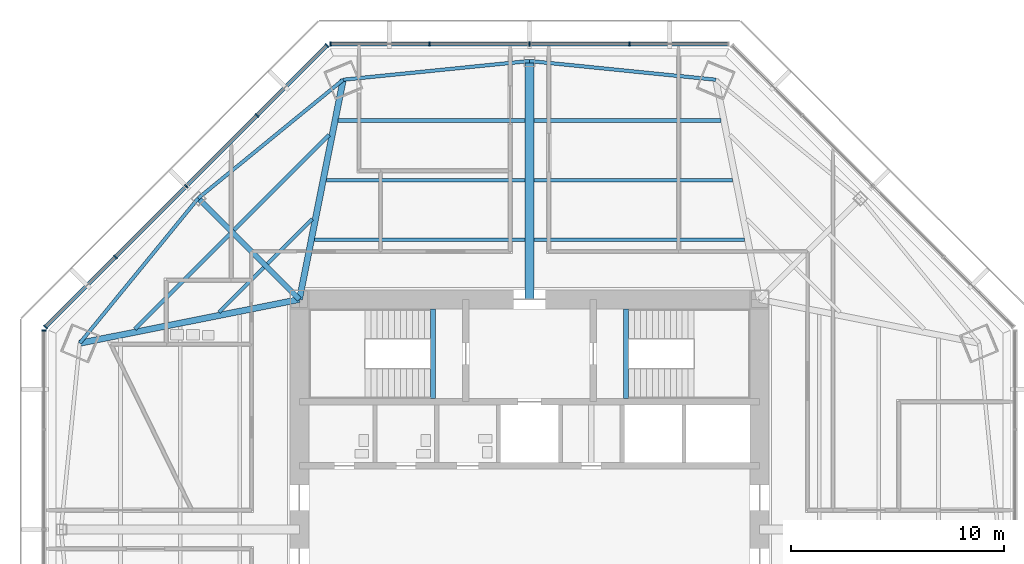
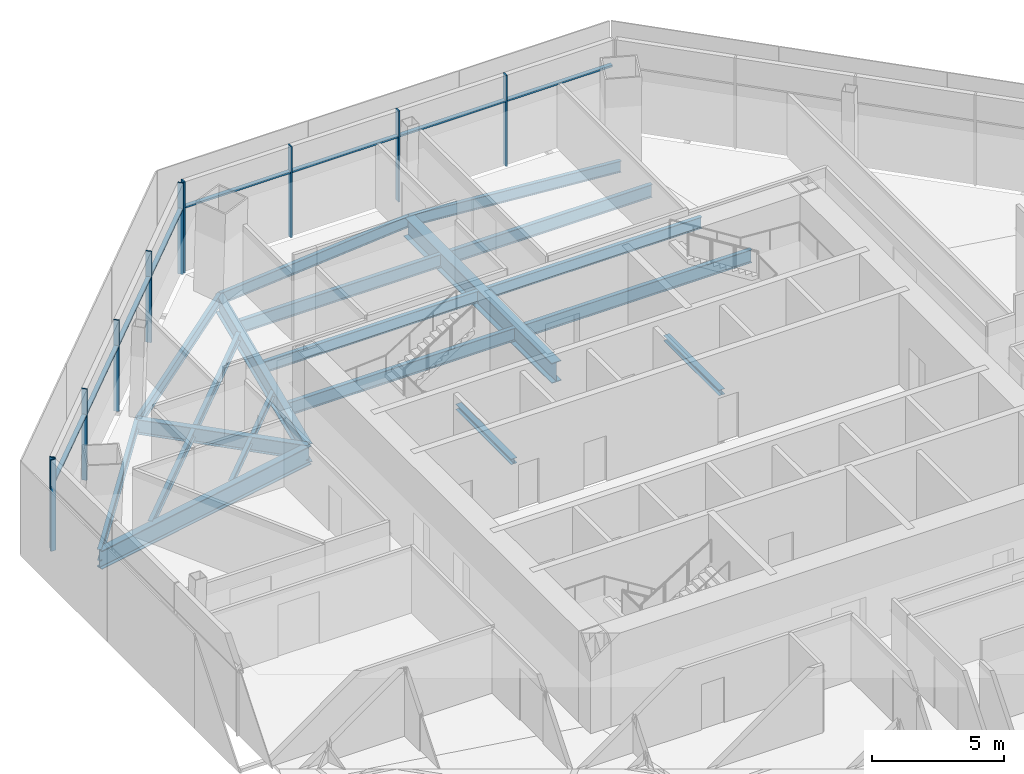
# One storey, part 5 of 15: 20 beams, 18 members, 3 elements without a shape of their own.
"""IFC4 building model written with IfcOpenShell, lengths in metres."""

import ifcopenshell
import ifcopenshell.guid

model = None  # the IFC model being written
_history = None  # IfcOwnerHistory: only IFC2X3 demands one
_inside = {}  # id of a spatial element -> (the spatial element, [elements in it])
_under = {}  # id of a project, library or spatial element -> (it, [spatial elements below it])
_declared = {}  # id of a project -> (the project, [libraries it declares])
_typed = {}  # id of a type object -> (the type object, [elements of that type])
_made_of = {}  # id of a material, layer set ... -> (it, [elements and type objects made of it])


def new_model(schema):
    """Start an empty IFC model of exactly this schema.

    Asked for "IFC4X3", IfcOpenShell would pick the latest addendum, in which some entities
    have other attributes; the version numbers below select the first issue.
    IFC2X3 requires an IfcOwnerHistory on every rooted entity: one is made here for all.
    """
    global model, _history
    if schema == "IFC4X3":
        model = ifcopenshell.file(schema_version=(4, 3, 0, 0))
    else:
        model = ifcopenshell.file(schema=schema)
    _inside.clear()
    _under.clear()
    _declared.clear()
    _typed.clear()
    _made_of.clear()
    _history = None
    if model.schema == "IFC2X3":
        org = make("IfcOrganization", Name="unknown")
        user = make(
            "IfcPersonAndOrganization",
            ThePerson=make("IfcPerson", FamilyName="unknown"),
            TheOrganization=org,
        )
        app = make(
            "IfcApplication",
            ApplicationDeveloper=org,
            Version="unknown",
            ApplicationFullName="unknown",
            ApplicationIdentifier="unknown",
        )
        _history = make(
            "IfcOwnerHistory",
            OwningUser=user,
            OwningApplication=app,
            ChangeAction="ADDED",
            CreationDate=0,
        )
    return model


def make(cls, **values):
    """One entity of the class cls with the attributes given. An attribute that is None is left unset."""
    return model.create_entity(
        cls, **{name: value for name, value in values.items() if value is not None}
    )


def rooted(cls, **values):
    """An entity with a GlobalId (a new one), such as an element, a storey or a relation."""
    return make(cls, GlobalId=ifcopenshell.guid.new(), OwnerHistory=_history, **values)


def si_unit(unit_type, name, prefix=None):
    """IfcSIUnit, for example si_unit("LENGTHUNIT", "METRE", prefix="MILLI")."""
    return make("IfcSIUnit", UnitType=unit_type, Prefix=prefix, Name=name)


def assignment(units):
    """IfcUnitAssignment: the units of a project."""
    return None if units is None else make("IfcUnitAssignment", Units=units)


def point(xyz):
    """IfcCartesianPoint."""
    return None if xyz is None else make("IfcCartesianPoint", Coordinates=xyz)


def direction(xyz):
    """IfcDirection."""
    return None if xyz is None else make("IfcDirection", DirectionRatios=xyz)


def frame(location, z_axis=None, x_axis=None):
    """IfcAxis2Placement3D, a coordinate frame: its origin and axes. An axis left out is left unset."""
    return make(
        "IfcAxis2Placement3D",
        Location=point(location),
        Axis=direction(z_axis),
        RefDirection=direction(x_axis),
    )


def frame_2d(location, x_axis=None):
    """IfcAxis2Placement2D, a coordinate frame in the plane: its origin and x axis."""
    return make(
        "IfcAxis2Placement2D", Location=point(location), RefDirection=direction(x_axis)
    )


def origin():
    """The frame at (0, 0, 0) with its axes left unset."""
    return frame((0.0, 0.0, 0.0))


def origin_2d():
    """The frame at (0, 0) in the plane with its x axis left unset."""
    return frame_2d((0.0, 0.0))


def place(relative_to, where):
    """IfcLocalPlacement: puts the frame where relative to a parent placement (None: the world)."""
    return make(
        "IfcLocalPlacement", PlacementRelTo=relative_to, RelativePlacement=where
    )


def context(
    kind, dimensions, precision=None, world=None, true_north=None, identifier=None
):
    """IfcGeometricRepresentationContext, for example the 3D "Model" context."""
    return make(
        "IfcGeometricRepresentationContext",
        ContextIdentifier=identifier,
        ContextType=kind,
        CoordinateSpaceDimension=dimensions,
        Precision=precision,
        WorldCoordinateSystem=world,
        TrueNorth=true_north,
    )


def subcontext(parent, identifier, kind, view, scale=None):
    """IfcGeometricRepresentationSubContext, for example "Body" below "Model"."""
    return make(
        "IfcGeometricRepresentationSubContext",
        ContextIdentifier=identifier,
        ContextType=kind,
        ParentContext=parent,
        TargetScale=scale,
        TargetView=view,
    )


def project(units=None, contexts=None):
    """IfcProject with its units and contexts."""
    return rooted(
        "IfcProject",
        Name="project",
        RepresentationContexts=contexts,
        UnitsInContext=assignment(units),
    )


def spatial(cls, under=None, at=None, **own):
    """A site, building, storey or space (cls), placed at a placement, below another one or the project."""
    s = rooted(cls, ObjectPlacement=at, **own)
    if under is not None:
        _under.setdefault(under.id(), (under, []))[1].append(s)
    return s


def profile(cls, at=None, kind="AREA", **sizes):
    """A parametric profile (cls). Its sizes go by their IFC names, for example OverallWidth=200.0."""
    return make(cls, ProfileType=kind, Position=at, **sizes)


def rectangle(**sizes):
    """IfcRectangleProfileDef."""
    return profile("IfcRectangleProfileDef", **sizes)


def i_section(**sizes):
    """IfcIShapeProfileDef."""
    return profile("IfcIShapeProfileDef", **sizes)


def extrude(swept, where, along, depth):
    """IfcExtrudedAreaSolid: the profile swept, set in the frame where, extruded along a direction by depth."""
    return make(
        "IfcExtrudedAreaSolid",
        SweptArea=swept,
        Position=where,
        ExtrudedDirection=direction(along),
        Depth=depth,
    )


def shape(context_of_items, identifier, shape_type, items):
    """IfcShapeRepresentation: the items that make up one representation, for example the "Body"."""
    return make(
        "IfcShapeRepresentation",
        ContextOfItems=context_of_items,
        RepresentationIdentifier=identifier,
        RepresentationType=shape_type,
        Items=items,
    )


def source(mapping_origin, context_of_items, identifier, shape_type, items):
    """IfcRepresentationMap: a shape defined once, which mapped items show again and again."""
    return make(
        "IfcRepresentationMap",
        MappingOrigin=mapping_origin,
        MappedRepresentation=shape(context_of_items, identifier, shape_type, items),
    )


def transform(
    local_origin,
    x_axis=None,
    y_axis=None,
    z_axis=None,
    scale=None,
    scale2=None,
    scale3=None,
    uniform=True,
):
    """IfcCartesianTransformationOperator3D, or its non-uniform kind. x_axis, y_axis, z_axis: its Axis1, 2, 3."""
    if uniform:
        return make(
            "IfcCartesianTransformationOperator3D",
            Axis1=direction(x_axis),
            Axis2=direction(y_axis),
            LocalOrigin=point(local_origin),
            Scale=scale,
            Axis3=direction(z_axis),
        )
    return make(
        "IfcCartesianTransformationOperator3DnonUniform",
        Axis1=direction(x_axis),
        Axis2=direction(y_axis),
        LocalOrigin=point(local_origin),
        Scale=scale,
        Axis3=direction(z_axis),
        Scale2=scale2,
        Scale3=scale3,
    )


def mapped(mapping_source, mapping_target):
    """IfcMappedItem: shows the shape of a source again, moved by a transform."""
    return make(
        "IfcMappedItem", MappingSource=mapping_source, MappingTarget=mapping_target
    )


def material(Name=None, Category=None):
    """IfcMaterial."""
    return make("IfcMaterial", Name=Name, Category=Category)


def material_profile(
    of_material, cross_section, Name=None, Category=None, Priority=None
):
    """IfcMaterialProfile: a cross section and its material."""
    return make(
        "IfcMaterialProfile",
        Name=Name,
        Material=of_material,
        Profile=cross_section,
        Priority=Priority,
        Category=Category,
    )


def profile_set(profiles, Name=None, composite=None):
    """IfcMaterialProfileSet."""
    return make(
        "IfcMaterialProfileSet",
        Name=Name,
        MaterialProfiles=profiles,
        CompositeProfile=composite,
    )


def made_of(thing, what):
    """Note that an element or type object is made of a material, layer set ...; save() writes the relation."""
    if what is not None:
        _made_of.setdefault(what.id(), (what, []))[1].append(thing)
    return thing


def type_object(cls, material=None, **own):
    """A type object (cls), such as IfcWallType, which elements share."""
    return made_of(rooted(cls, **own), material)


def type_shapes(of_type, sources):
    """Give a type object the sources (RepresentationMaps) that its elements show as mapped items."""
    of_type.RepresentationMaps = sources


def element(
    cls,
    number,
    at=None,
    inside=None,
    cuts=None,
    type_object=None,
    material=None,
    context=None,
    identifier="Body",
    shape_type=None,
    held_by="IfcProductDefinitionShape",
    body=None,
    shapes=None,
    **own,
):
    """One element of the class cls, such as IfcWall. Its Tag is "e" and its number.

    at: its placement. inside: the storey or other place that contains it. cuts: it is an
    opening in that element (IfcRelVoidsElement). A single representation is given by context,
    identifier, shape_type and body (its items); several are given by shapes. held_by: the class
    of the entity that holds the representations. save() writes the other relations.
    """
    e = rooted(cls, Tag="e%d" % number, ObjectPlacement=at, **own)
    if body is not None:
        shapes = [shape(context, identifier, shape_type, body)]
    if shapes is not None:
        e.Representation = make(held_by, Representations=shapes)
    if inside is not None:
        _inside.setdefault(inside.id(), (inside, []))[1].append(e)
    if cuts is not None:
        rooted(
            "IfcRelVoidsElement", RelatingBuildingElement=cuts, RelatedOpeningElement=e
        )
    if type_object is not None:
        _typed.setdefault(type_object.id(), (type_object, []))[1].append(e)
    return made_of(e, material)


def aggregate(whole, parts):
    """IfcRelAggregates: a whole, such as a stair, and the parts it consists of."""
    return rooted("IfcRelAggregates", RelatingObject=whole, RelatedObjects=parts)


def save(model, path):
    """Write the relations noted so far, then the file.

    IfcRelAggregates (storeys below a building ...), IfcRelContainedInSpatialStructure (elements
    in a storey), IfcRelDefinesByType, IfcRelAssociatesMaterial and IfcRelDeclares: one each for
    every whole, place, type object, material and project.
    """
    for whole, parts in _under.values():
        aggregate(whole, parts)
    for where, things in _inside.values():
        rooted(
            "IfcRelContainedInSpatialStructure",
            RelatedElements=things,
            RelatingStructure=where,
        )
    for kind, things in _typed.values():
        rooted("IfcRelDefinesByType", RelatedObjects=things, RelatingType=kind)
    for what, things in _made_of.values():
        rooted("IfcRelAssociatesMaterial", RelatedObjects=things, RelatingMaterial=what)
    for by, libraries in _declared.values():
        rooted("IfcRelDeclares", RelatingContext=by, RelatedDefinitions=libraries)
    model.write(path)


model = new_model("IFC4")

# Units and contexts
model_context = context("Model", 3, precision=1e-05, world=origin(), true_north=direction((0.0, 1.0)))
body_context = subcontext(model_context, "Body", "Model", "MODEL_VIEW")
ifc_project = project(units=[si_unit("LENGTHUNIT", "METRE"), si_unit("AREAUNIT", "SQUARE_METRE"), si_unit("VOLUMEUNIT", "CUBIC_METRE"), si_unit("PLANEANGLEUNIT", "RADIAN"), si_unit("MASSUNIT", "GRAM", prefix="KILO")], contexts=[model_context])

# Site, building, storey
site_placement = place(None, origin())
site = spatial("IfcSite", under=ifc_project, at=site_placement, CompositionType="ELEMENT")
building_placement = place(site_placement, origin())
building = spatial("IfcBuilding", under=site, at=building_placement, Name="Mashrafa Tower", CompositionType="ELEMENT")
storey_placement = place(building_placement, frame((0.0, 0.0, 184.800048828125)))
storey = spatial("IfcBuildingStorey", under=building, at=storey_placement, Name="L42", CompositionType="ELEMENT", Elevation=184.800048828125)

# Beams
ifc_material_1 = material(Name="Steel ASTM A992", Category="steel")
ifc_material_profile_1 = material_profile(ifc_material_1, i_section(OverallWidth=0.164794921875, OverallDepth=0.309814453125, WebThickness=0.005859375, FlangeThickness=0.009765625, FilletRadius=0.007568359375, at=origin_2d()), Name="W12X26")
ifc_profile_set_1 = profile_set([ifc_material_profile_1], Name="Steel ASTM A992")
beam_type_1 = type_object("IfcBeamType", Name="Beam W12X26", PredefinedType="BEAM", material=ifc_profile_set_1)
for number, where, z_axis, x_axis, name in (
    (1, (-14.568603515625, 10.1982421875, -0.320068359375), (0.707065585301, 0.707147974672, 0.0), (-0.707147974672, 0.707065585301, 0.0), "Floor beam L42 006"),
    (2, (-12.293701171875, 12.473388671875, -0.320068359375), (0.707147974672, 0.707065585301, 0.0), (-0.707065585301, 0.707147974672, 0.0), "Floor beam L42 012"),
):
    element("IfcBeam", number, at=place(storey_placement, frame(where, z_axis=z_axis, x_axis=x_axis)), inside=storey, type_object=beam_type_1, Name=name, PredefinedType="BEAM", context=body_context, shape_type="SweptSolid", body=[
        extrude(i_section(OverallWidth=0.164794921875, OverallDepth=0.309814453125, WebThickness=0.005859375, FlangeThickness=0.009765625, FilletRadius=0.007568359375, at=origin_2d()), origin(), (0.0, 0.0, 1.0), 2.963134765625),
    ])
ifc_material_2 = material(Name="Steel ASTM A992", Category="steel")
ifc_material_profile_2 = material_profile(ifc_material_2, i_section(OverallWidth=0.177734375, OverallDepth=0.406494140625, WebThickness=0.0078125, FlangeThickness=0.012939453125, FilletRadius=0.01025390625, at=origin_2d()), Name="W16X40")
ifc_profile_set_2 = profile_set([ifc_material_profile_2], Name="Steel ASTM A992")
beam_type_2 = type_object("IfcBeamType", Name="Beam W16X40", PredefinedType="BEAM", material=ifc_profile_set_2)
for number, where, z_axis, x_axis, name in (
    (3, (-18.5234375, 9.410400390625, -0.3681640625), (0.707106781187, 0.707106781187, 0.0), (-0.707106781187, 0.707106781187, 0.0), "Floor beam L42 003"),
    (4, (-13.877197265625, 14.056640625, -0.3681640625), (0.707106781187, 0.707106781187, 0.0), (-0.707106781187, 0.707106781187, 0.0), "Floor beam L42 008"),
):
    element("IfcBeam", number, at=place(storey_placement, frame(where, z_axis=z_axis, x_axis=x_axis)), inside=storey, type_object=beam_type_2, Name=name, PredefinedType="BEAM", context=body_context, shape_type="SweptSolid", body=[
        extrude(i_section(OverallWidth=0.177734375, OverallDepth=0.406494140625, WebThickness=0.0078125, FlangeThickness=0.012939453125, FilletRadius=0.01025390625, at=origin_2d()), origin(), (0.0, 0.0, 1.0), 6.31689453125),
    ])
ifc_material_3 = material(Name="Steel ASTM A992", Category="steel")
ifc_material_profile_3 = material_profile(ifc_material_3, i_section(OverallWidth=0.1650390625, OverallDepth=0.52587890625, WebThickness=0.0087890625, FlangeThickness=0.011474609375, FilletRadius=0.0126953125, at=origin_2d()), Name="W21X44")
ifc_profile_set_3 = profile_set([ifc_material_profile_3], Name="Steel ASTM A992")
beam_type_3 = type_object("IfcBeamType", Name="Beam W21X44", PredefinedType="BEAM", material=ifc_profile_set_3)
for number, where, z_axis, x_axis, name in (
    (5, (-9.536376953125, 16.39599609375, -0.427978515625), (1.0, 0.0, 0.0), (0.0, 1.0, 0.0), "Floor beam L42 015"),
    (6, (0.20947265625, 16.39599609375, -0.427978515625), (1.0, 0.0, 0.0), (0.0, 1.0, 0.0), "Floor beam L42 022"),
):
    element("IfcBeam", number, at=place(storey_placement, frame(where, z_axis=z_axis, x_axis=x_axis)), inside=storey, type_object=beam_type_3, Name=name, PredefinedType="BEAM", context=body_context, shape_type="SweptSolid", body=[
        extrude(i_section(OverallWidth=0.1650390625, OverallDepth=0.52587890625, WebThickness=0.0087890625, FlangeThickness=0.011474609375, FilletRadius=0.0126953125, at=origin_2d()), origin(), (0.0, 0.0, 1.0), 9.326904296875),
    ])
for number, where, z_axis, x_axis, name in (
    (7, (-15.55029296875, 15.55029296875, -0.427978515625), (-0.632932191269, -0.77420723405, 0.0), (0.77420723405, -0.632932191269, 0.0), "Spandrel beam L42 061"),
    (8, (-8.74560546875, 21.11328125, -0.427978515625), (-0.77420723405, -0.632932191269, 0.0), (0.632932191269, -0.77420723405, 0.0), "Spandrel beam L42 063"),
):
    element("IfcBeam", number, at=place(storey_placement, frame(where, z_axis=z_axis, x_axis=x_axis)), inside=storey, type_object=beam_type_3, Name=name, PredefinedType="BEAM", context=body_context, shape_type="SweptSolid", body=[
        extrude(i_section(OverallWidth=0.1650390625, OverallDepth=0.52587890625, WebThickness=0.0087890625, FlangeThickness=0.011474609375, FilletRadius=0.0126953125, at=origin_2d()), origin(), (0.0, 0.0, 1.0), 8.789306640625),
    ])
for number, where, z_axis, x_axis, name in (
    (9, (0.0, 21.99169921875, -0.427978515625), (-0.994993643695, -0.099938225951, 0.0), (0.099938225951, -0.994993643695, 0.0), "Spandrel beam L42 065"),
    (10, (8.74560546875, 21.11328125, -0.427978515625), (-0.994993643695, 0.099938225951, 0.0), (-0.099938225951, -0.994993643695, 0.0), "Spandrel beam L42 067"),
):
    element("IfcBeam", number, at=place(storey_placement, frame(where, z_axis=z_axis, x_axis=x_axis)), inside=storey, type_object=beam_type_3, Name=name, PredefinedType="BEAM", context=body_context, shape_type="SweptSolid", body=[
        extrude(i_section(OverallWidth=0.1650390625, OverallDepth=0.52587890625, WebThickness=0.0087890625, FlangeThickness=0.011474609375, FilletRadius=0.0126953125, at=origin_2d()), origin(), (0.0, 0.0, 1.0), 8.78955078125),
    ])
ifc_material_4 = material(Name="Steel ASTM A992", Category="steel")
ifc_material_profile_4 = material_profile(ifc_material_4, i_section(OverallWidth=0.177978515625, OverallDepth=0.599365234375, WebThickness=0.010009765625, FlangeThickness=0.012939453125, FilletRadius=0.012939453125, at=origin_2d()), Name="W24X55")
ifc_profile_set_4 = profile_set([ifc_material_profile_4], Name="Steel ASTM A992")
beam_type_4 = type_object("IfcBeamType", Name="Beam W24X55", PredefinedType="BEAM", material=ifc_profile_set_4)
beam_1_placement = place(storey_placement, frame((-10.09375, 13.597900390625, -0.46484375), z_axis=(1.0, 0.0, 0.0), x_axis=(0.0, 1.0, 0.0)))
element("IfcBeam", 11, at=beam_1_placement, inside=storey, type_object=beam_type_4, Name="Floor beam L42 013", PredefinedType="BEAM", context=body_context, shape_type="SweptSolid", body=[
    extrude(i_section(OverallWidth=0.177978515625, OverallDepth=0.599365234375, WebThickness=0.010009765625, FlangeThickness=0.012939453125, FilletRadius=0.012939453125, at=origin_2d()), origin(), (0.0, 0.0, 1.0), 9.88427734375),
])
beam_2_placement = place(storey_placement, frame((-8.97900390625, 19.19384765625, -0.46484375), z_axis=(1.0, 0.0, 0.0), x_axis=(0.0, 1.0, 0.0)))
element("IfcBeam", 12, at=beam_2_placement, inside=storey, type_object=beam_type_4, Name="Floor beam L42 017", PredefinedType="BEAM", context=body_context, shape_type="SweptSolid", body=[
    extrude(i_section(OverallWidth=0.177978515625, OverallDepth=0.599365234375, WebThickness=0.010009765625, FlangeThickness=0.012939453125, FilletRadius=0.012939453125, at=origin_2d()), origin(), (0.0, 0.0, 1.0), 8.76953125),
])
beam_3_placement = place(storey_placement, frame((0.20947265625, 13.597900390625, -0.46484375), z_axis=(1.0, 0.0, 0.0), x_axis=(0.0, 1.0, 0.0)))
element("IfcBeam", 13, at=beam_3_placement, inside=storey, type_object=beam_type_4, Name="Floor beam L42 021", PredefinedType="BEAM", context=body_context, shape_type="SweptSolid", body=[
    extrude(i_section(OverallWidth=0.177978515625, OverallDepth=0.599365234375, WebThickness=0.010009765625, FlangeThickness=0.012939453125, FilletRadius=0.012939453125, at=origin_2d()), origin(), (0.0, 0.0, 1.0), 9.88427734375),
])
beam_4_placement = place(storey_placement, frame((0.20947265625, 19.19384765625, -0.46484375), z_axis=(1.0, 0.0, 0.0), x_axis=(0.0, 1.0, 0.0)))
element("IfcBeam", 14, at=beam_4_placement, inside=storey, type_object=beam_type_4, Name="Floor beam L42 023", PredefinedType="BEAM", context=body_context, shape_type="SweptSolid", body=[
    extrude(i_section(OverallWidth=0.177978515625, OverallDepth=0.599365234375, WebThickness=0.010009765625, FlangeThickness=0.012939453125, FilletRadius=0.012939453125, at=origin_2d()), origin(), (0.0, 0.0, 1.0), 8.76953125),
])
ifc_material_5 = material(Name="Steel ASTM A992", Category="steel")
ifc_material_profile_5 = material_profile(ifc_material_5, i_section(OverallWidth=0.25390625, OverallDepth=0.683349609375, WebThickness=0.012451171875, FlangeThickness=0.01904296875, FilletRadius=0.01513671875, at=origin_2d()), Name="W27X94")
ifc_profile_set_5 = profile_set([ifc_material_profile_5], Name="Steel ASTM A992")
beam_type_5 = type_object("IfcBeamType", Name="Beam W27X94", PredefinedType="BEAM", material=ifc_profile_set_5)
beam_5_placement = place(storey_placement, frame((-10.800048828125, 10.800048828125, -0.506591796875), z_axis=(-0.707106781187, 0.707106781187, 0.0), x_axis=(-0.707106781187, -0.707106781187, 0.0)))
element("IfcBeam", 15, at=beam_5_placement, inside=storey, type_object=beam_type_5, Name="Radial girder L42 046", PredefinedType="BEAM", context=body_context, shape_type="SweptSolid", body=[
    extrude(i_section(OverallWidth=0.25390625, OverallDepth=0.683349609375, WebThickness=0.012451171875, FlangeThickness=0.01904296875, FilletRadius=0.01513671875, at=origin_2d()), origin(), (0.0, 0.0, 1.0), 6.7177734375),
])
ifc_material_6 = material(Name="Steel ASTM A992", Category="steel")
ifc_material_profile_6 = material_profile(ifc_material_6, i_section(OverallWidth=0.2919921875, OverallDepth=0.8583984375, WebThickness=0.01708984375, FlangeThickness=0.031005859375, FilletRadius=0.017822265625, at=origin_2d()), Name="W33X169")
ifc_profile_set_6 = profile_set([ifc_material_profile_6], Name="Steel ASTM A992")
beam_type_6 = type_object("IfcBeamType", Name="Beam W33X169", PredefinedType="BEAM", material=ifc_profile_set_6)
for number, where, z_axis, x_axis, name in (
    (16, (-10.800048828125, 10.800048828125, -0.59423828125), (-0.980730402483, -0.195366009443, 0.0), (0.195366009443, -0.980730402483, 0.0), "Radial girder L42 045"),
    (17, (-10.800048828125, 10.800048828125, -0.59423828125), (0.195366009443, 0.980730402483, 0.0), (-0.980730402483, 0.195366009443, 0.0), "Radial girder L42 047"),
):
    element("IfcBeam", number, at=place(storey_placement, frame(where, z_axis=z_axis, x_axis=x_axis)), inside=storey, type_object=beam_type_6, Name=name, PredefinedType="BEAM", context=body_context, shape_type="SweptSolid", body=[
        extrude(i_section(OverallWidth=0.2919921875, OverallDepth=0.8583984375, WebThickness=0.01708984375, FlangeThickness=0.031005859375, FilletRadius=0.017822265625, at=origin_2d()), origin(), (0.0, 0.0, 1.0), 10.515869140625),
    ])
ifc_material_7 = material(Name="Steel ASTM A992", Category="steel")
ifc_material_profile_7 = material_profile(ifc_material_7, i_section(OverallWidth=0.419189453125, OverallDepth=0.927001953125, WebThickness=0.019287109375, FlangeThickness=0.031982421875, FilletRadius=0.020263671875, at=origin_2d()), Name="W36X231")
ifc_profile_set_7 = profile_set([ifc_material_profile_7], Name="Steel ASTM A992")
beam_type_7 = type_object("IfcBeamType", Name="Beam W36X231", PredefinedType="BEAM", material=ifc_profile_set_7)
beam_6_placement = place(storey_placement, frame((0.0, 10.800048828125, -0.628662109375), z_axis=(0.0, 1.0, 0.0), x_axis=(-1.0, 0.0, 0.0)))
element("IfcBeam", 18, at=beam_6_placement, inside=storey, type_object=beam_type_7, Name="Radial girder L42 049", PredefinedType="BEAM", context=body_context, shape_type="SweptSolid", body=[
    extrude(i_section(OverallWidth=0.419189453125, OverallDepth=0.927001953125, WebThickness=0.019287109375, FlangeThickness=0.031982421875, FilletRadius=0.020263671875, at=origin_2d()), origin(), (0.0, 0.0, 1.0), 11.191650390625),
])
ifc_material_8 = material(Name="Steel ASTM A992", Category="steel")
ifc_material_profile_8 = material_profile(ifc_material_8, i_section(OverallWidth=0.25390625, OverallDepth=0.25390625, WebThickness=0.008544921875, FlangeThickness=0.01416015625, FilletRadius=0.010009765625, at=origin_2d()), Name="W10X49")
ifc_profile_set_8 = profile_set([ifc_material_profile_8], Name="Steel ASTM A992")
beam_type_8 = type_object("IfcBeamType", Name="Hoistway beam W10X49", PredefinedType="BEAM", material=ifc_profile_set_8)
for number, where, z_axis, x_axis, name in (
    (19, (-4.530029296875, 6.14990234375, -0.3271484375), (0.0, 1.0, 0.0), (-1.0, 0.0, 0.0), "Stair S1 landing beam L42"),
    (20, (4.530029296875, 6.14990234375, -0.3271484375), (0.0, 1.0, 0.0), (-1.0, 0.0, 0.0), "Stair S2 landing beam L42"),
):
    element("IfcBeam", number, at=place(storey_placement, frame(where, z_axis=z_axis, x_axis=x_axis)), inside=storey, type_object=beam_type_8, Name=name, PredefinedType="BEAM", context=body_context, shape_type="SweptSolid", body=[
        extrude(i_section(OverallWidth=0.25390625, OverallDepth=0.25390625, WebThickness=0.008544921875, FlangeThickness=0.01416015625, FilletRadius=0.010009765625, at=origin_2d()), origin(), (0.0, 0.0, 1.0), 4.2001953125),
    ])

# Curtain wall, members
ifc_material_9 = material(Name="Unitised aluminium curtain wall", Category="aluminium")
curtain_wall_type = type_object("IfcCurtainWallType", Name="Office curtain wall, zone 2 CW-B 225 deep", PredefinedType="NOTDEFINED", material=ifc_material_9)
curtain_wall_1_placement = place(storey_placement, origin())
curtain_wall_1 = element("IfcCurtainWall", 21, at=curtain_wall_1_placement, inside=storey, type_object=curtain_wall_type, Name="Office curtain wall, zone 2 L42 north", PredefinedType="NOTDEFINED")
ifc_material_10 = material(Name="Extruded aluminium mullion", Category="aluminium")
ifc_material_profile_9 = material_profile(ifc_material_10, rectangle(XDim=0.22509765625, YDim=0.06494140625, at=origin_2d()), Name="Mullion 65x225")
ifc_profile_set_9 = profile_set([ifc_material_profile_9], Name="Extruded aluminium mullion")
member_type_1 = type_object("IfcMemberType", Name="Mullion CW-B 65 x 225", PredefinedType="MULLION", material=ifc_profile_set_9)
shared_shape_1 = source(origin(), body_context, "Body", "SweptSolid", [
    extrude(rectangle(XDim=0.22509765625, YDim=0.06494140625, at=origin_2d()), origin(), (0.0, 0.0, 1.0), 4.199951171875),
])
type_shapes(member_type_1, [shared_shape_1])
member_1_placement = place(storey_placement, frame((4.69091796875, 22.786865234375, 0.0), z_axis=(0.0, 0.0, 1.0), x_axis=(0.0, -1.0, 0.0)))
member_1 = element("IfcMember", 22, at=member_1_placement, type_object=member_type_1, Name="CW-B mullion 2", PredefinedType="MULLION", context=body_context, shape_type="MappedRepresentation", body=[
    mapped(shared_shape_1, transform((0.0, 0.0, 0.0))),
])
member_2_placement = place(storey_placement, frame((0.0, 22.786865234375, 0.0), z_axis=(0.0, 0.0, 1.0), x_axis=(0.0, -1.0, 0.0)))
member_2 = element("IfcMember", 23, at=member_2_placement, type_object=member_type_1, Name="CW-B mullion 3", PredefinedType="MULLION", context=body_context, shape_type="MappedRepresentation", body=[
    mapped(shared_shape_1, transform((0.0, 0.0, 0.0))),
])
member_3_placement = place(storey_placement, frame((-4.69091796875, 22.786865234375, 0.0), z_axis=(0.0, 0.0, 1.0), x_axis=(0.0, -1.0, 0.0)))
member_3 = element("IfcMember", 24, at=member_3_placement, type_object=member_type_1, Name="CW-B mullion 4", PredefinedType="MULLION", context=body_context, shape_type="MappedRepresentation", body=[
    mapped(shared_shape_1, transform((0.0, 0.0, 0.0))),
])
member_4_placement = place(storey_placement, frame((-9.349609375, 22.786865234375, 0.0), z_axis=(0.0, 0.0, 1.0), x_axis=(0.0, -1.0, 0.0)))
member_4 = element("IfcMember", 25, at=member_4_placement, type_object=member_type_1, Name="CW-B mullion 5", PredefinedType="MULLION", context=body_context, shape_type="MappedRepresentation", body=[
    mapped(shared_shape_1, transform((0.0, 0.0, 0.0))),
])

curtain_wall_2_placement = place(storey_placement, origin())
curtain_wall_2 = element("IfcCurtainWall", 26, at=curtain_wall_2_placement, inside=storey, type_object=curtain_wall_type, Name="Office curtain wall, zone 2 L42 north-west", PredefinedType="NOTDEFINED")
member_5_placement = place(storey_placement, frame((-9.501708984375, 22.723876953125, 0.0), z_axis=(0.0, 0.0, 1.0), x_axis=(0.707106781187, -0.707106781187, 0.0)))
member_5 = element("IfcMember", 27, at=member_5_placement, type_object=member_type_1, Name="CW-B mullion 1", PredefinedType="MULLION", context=body_context, shape_type="MappedRepresentation", body=[
    mapped(shared_shape_1, transform((0.0, 0.0, 0.0))),
])
member_6_placement = place(storey_placement, frame((-12.795654296875, 19.429931640625, 0.0), z_axis=(0.0, 0.0, 1.0), x_axis=(0.707106781187, -0.707106781187, 0.0)))
member_6 = element("IfcMember", 28, at=member_6_placement, type_object=member_type_1, Name="CW-B mullion 2", PredefinedType="MULLION", context=body_context, shape_type="MappedRepresentation", body=[
    mapped(shared_shape_1, transform((0.0, 0.0, 0.0))),
])
member_7_placement = place(storey_placement, frame((-16.11279296875, 16.11279296875, 0.0), z_axis=(0.0, 0.0, 1.0), x_axis=(0.707106781187, -0.707106781187, 0.0)))
member_7 = element("IfcMember", 29, at=member_7_placement, type_object=member_type_1, Name="CW-B mullion 3", PredefinedType="MULLION", context=body_context, shape_type="MappedRepresentation", body=[
    mapped(shared_shape_1, transform((0.0, 0.0, 0.0))),
])
member_8_placement = place(storey_placement, frame((-19.429931640625, 12.795654296875, 0.0), z_axis=(0.0, 0.0, 1.0), x_axis=(0.707106781187, -0.707106781187, 0.0)))
member_8 = element("IfcMember", 30, at=member_8_placement, type_object=member_type_1, Name="CW-B mullion 4", PredefinedType="MULLION", context=body_context, shape_type="MappedRepresentation", body=[
    mapped(shared_shape_1, transform((0.0, 0.0, 0.0))),
])
member_9_placement = place(storey_placement, frame((-22.723876953125, 9.501708984375, 0.0), z_axis=(0.0, 0.0, 1.0), x_axis=(0.707106781187, -0.707106781187, 0.0)))
member_9 = element("IfcMember", 31, at=member_9_placement, type_object=member_type_1, Name="CW-B mullion 5", PredefinedType="MULLION", context=body_context, shape_type="MappedRepresentation", body=[
    mapped(shared_shape_1, transform((0.0, 0.0, 0.0))),
])

# Curtain wall, member
curtain_wall_3_placement = place(storey_placement, origin())
curtain_wall_3 = element("IfcCurtainWall", 32, at=curtain_wall_3_placement, inside=storey, type_object=curtain_wall_type, Name="Office curtain wall, zone 2 L42 west", PredefinedType="NOTDEFINED")
member_10_placement = place(storey_placement, frame((-22.786865234375, 9.349609375, 0.0), z_axis=(0.0, 0.0, 1.0), x_axis=(1.0, 0.0, 0.0)))
member_10 = element("IfcMember", 33, at=member_10_placement, type_object=member_type_1, Name="CW-B mullion 1", PredefinedType="MULLION", context=body_context, shape_type="MappedRepresentation", body=[
    mapped(shared_shape_1, transform((0.0, 0.0, 0.0))),
])
aggregate(curtain_wall_3, [member_10])

# Member
ifc_material_11 = material(Name="Extruded aluminium transom", Category="aluminium")
ifc_material_profile_10 = material_profile(ifc_material_11, rectangle(XDim=0.179931640625, YDim=0.080078125, at=origin_2d()), Name="Transom 80x180")
ifc_profile_set_10 = profile_set([ifc_material_profile_10], Name="Extruded aluminium transom")
member_type_2 = type_object("IfcMemberType", Name="Transom CW-B 80 x 180", PredefinedType="MULLION", material=ifc_profile_set_10)
shared_shape_2 = source(origin(), body_context, "Body", "SweptSolid", [
    extrude(rectangle(XDim=0.179931640625, YDim=0.080078125, at=origin_2d()), origin(), (0.0, 0.0, 1.0), 4.593505859375),
])
member_11_placement = place(storey_placement, frame((9.317138671875, 22.786865234375, 3.0), z_axis=(-1.0, 0.0, 0.0), x_axis=(0.0, -1.0, 0.0)))
member_11 = element("IfcMember", 34, at=member_11_placement, type_object=member_type_2, Name="CW-B transom 1", PredefinedType="MULLION", context=body_context, shape_type="MappedRepresentation", body=[
    mapped(shared_shape_2, transform((0.0, 0.0, 0.0))),
])

member_12_placement = place(storey_placement, frame((-4.7236328125, 22.786865234375, 3.0), z_axis=(-1.0, 0.0, 0.0), x_axis=(0.0, -1.0, 0.0)))
member_12 = element("IfcMember", 35, at=member_12_placement, type_object=member_type_2, Name="CW-B transom 4", PredefinedType="MULLION", context=body_context, shape_type="MappedRepresentation", body=[
    mapped(shared_shape_2, transform((0.0, 0.0, 0.0))),
])

member_13_placement = place(storey_placement, frame((-9.524658203125, 22.700927734375, 3.0), z_axis=(-0.707106781187, -0.707106781187, 0.0), x_axis=(0.707106781187, -0.707106781187, 0.0)))
member_13 = element("IfcMember", 36, at=member_13_placement, type_object=member_type_2, Name="CW-B transom 1", PredefinedType="MULLION", context=body_context, shape_type="MappedRepresentation", body=[
    mapped(shared_shape_2, transform((0.0, 0.0, 0.0))),
])

member_14_placement = place(storey_placement, frame((-19.452880859375, 12.772705078125, 3.0), z_axis=(-0.707106781187, -0.707106781187, 0.0), x_axis=(0.707106781187, -0.707106781187, 0.0)))
member_14 = element("IfcMember", 37, at=member_14_placement, type_object=member_type_2, Name="CW-B transom 4", PredefinedType="MULLION", context=body_context, shape_type="MappedRepresentation", body=[
    mapped(shared_shape_2, transform((0.0, 0.0, 0.0))),
])

shared_shape_3 = source(origin(), body_context, "Body", "SweptSolid", [
    extrude(rectangle(XDim=0.179931640625, YDim=0.080078125, at=origin_2d()), origin(), (0.0, 0.0, 1.0), 4.6259765625),
])
type_shapes(member_type_2, [shared_shape_2, shared_shape_3])
member_15_placement = place(storey_placement, frame((4.658447265625, 22.786865234375, 3.0), z_axis=(-1.0, 0.0, 0.0), x_axis=(0.0, -1.0, 0.0)))
member_15 = element("IfcMember", 38, at=member_15_placement, type_object=member_type_2, Name="CW-B transom 2", PredefinedType="MULLION", context=body_context, shape_type="MappedRepresentation", body=[
    mapped(shared_shape_3, transform((0.0, 0.0, 0.0))),
])

member_16_placement = place(storey_placement, frame((-0.032470703125, 22.786865234375, 3.0), z_axis=(-1.0, 0.0, 0.0), x_axis=(0.0, -1.0, 0.0)))
member_16 = element("IfcMember", 39, at=member_16_placement, type_object=member_type_2, Name="CW-B transom 3", PredefinedType="MULLION", context=body_context, shape_type="MappedRepresentation", body=[
    mapped(shared_shape_3, transform((0.0, 0.0, 0.0))),
])

aggregate(curtain_wall_1, [member_1, member_2, member_3, member_4, member_11, member_15, member_16, member_12])

member_17_placement = place(storey_placement, frame((-12.81884765625, 19.406982421875, 3.0), z_axis=(-0.707080393159, -0.707133168229, 0.0), x_axis=(0.707133168229, -0.707080393159, 0.0)))
member_17 = element("IfcMember", 40, at=member_17_placement, type_object=member_type_2, Name="CW-B transom 2", PredefinedType="MULLION", context=body_context, shape_type="MappedRepresentation", body=[
    mapped(shared_shape_3, transform((0.0, 0.0, 0.0))),
])

member_18_placement = place(storey_placement, frame((-16.1357421875, 16.08984375, 3.0), z_axis=(-0.707133168229, -0.707080393159, 0.0), x_axis=(0.707080393159, -0.707133168229, 0.0)))
member_18 = element("IfcMember", 41, at=member_18_placement, type_object=member_type_2, Name="CW-B transom 3", PredefinedType="MULLION", context=body_context, shape_type="MappedRepresentation", body=[
    mapped(shared_shape_3, transform((0.0, 0.0, 0.0))),
])

aggregate(curtain_wall_2, [member_5, member_6, member_7, member_8, member_9, member_13, member_17, member_18, member_14])

save(model, "model.ifc")
